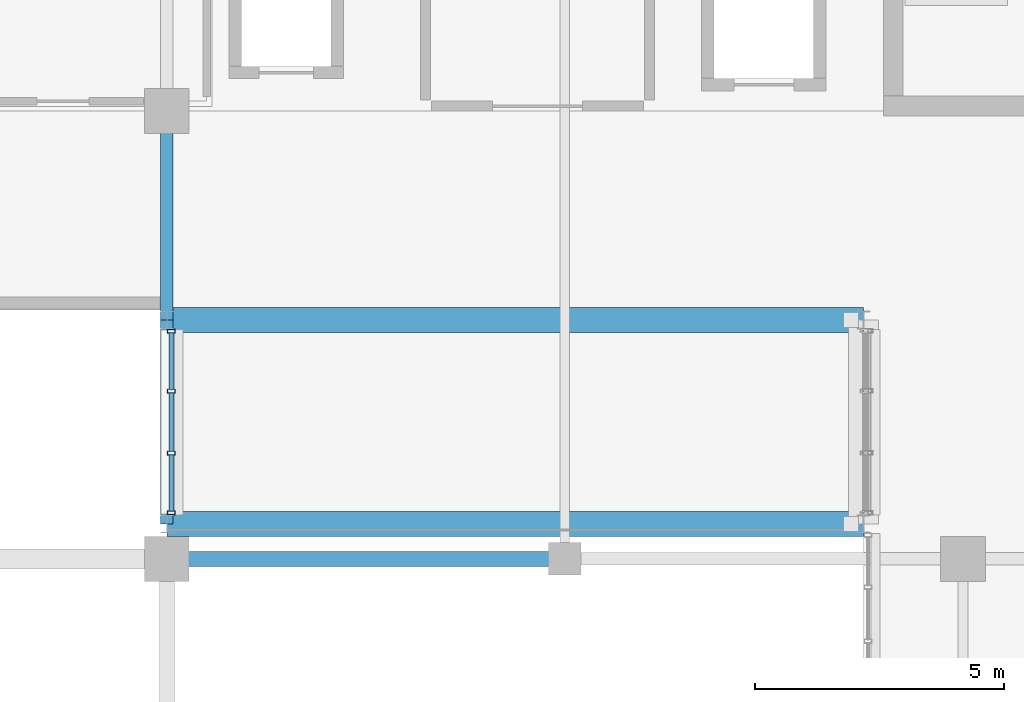
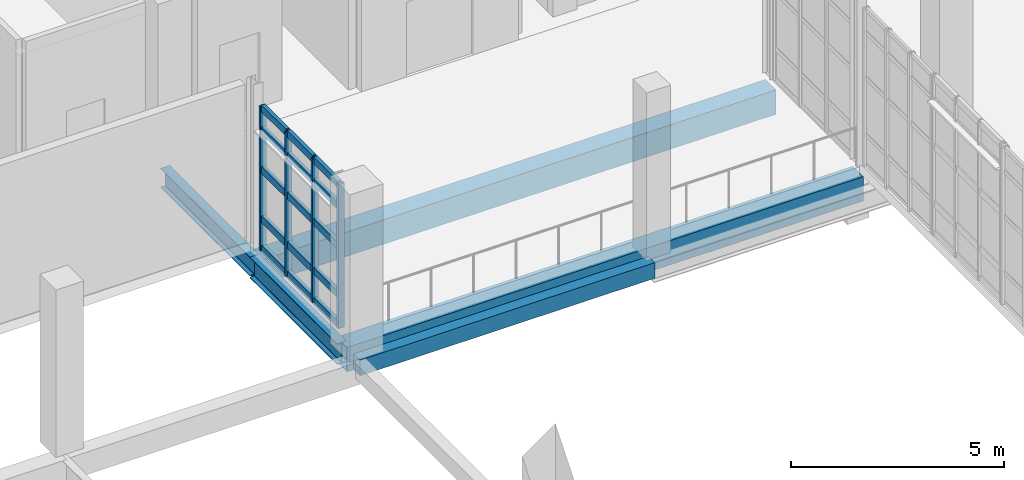
# One storey, part 37 of 127: 19 members, 5 beams, 1 element without a shape of its own.
"""IFC4 building model written with IfcOpenShell, lengths in metres."""

from ifc_helpers import new_model, si_unit, derived_unit, direction, frame, origin, origin_2d, place, context, subcontext, project, spatial, rectangle, hollow_rectangle, i_section, extrude, material, layer, layer_set, material_profile, profile_set, type_object, element, aggregate, save


model = new_model("IFC4")

# Units and contexts
model_context = context("Model", 3, precision=1e-05, world=origin(), true_north=direction((0.0, 1.0)))
body_context = subcontext(model_context, "Body", "Model", "MODEL_VIEW")
ifc_project = project(units=[si_unit("LENGTHUNIT", "METRE"), si_unit("AREAUNIT", "SQUARE_METRE"), si_unit("VOLUMEUNIT", "CUBIC_METRE"), si_unit("PLANEANGLEUNIT", "RADIAN"), si_unit("MASSUNIT", "GRAM", prefix="KILO"), derived_unit("THERMALTRANSMITTANCEUNIT", [(si_unit("POWERUNIT", "WATT"), 1), (si_unit("LENGTHUNIT", "METRE"), -2), (si_unit("THERMODYNAMICTEMPERATUREUNIT", "KELVIN"), -1)])], contexts=[model_context])

# Site, building, storey
site_placement = place(None, origin())
site = spatial("IfcSite", under=ifc_project, at=site_placement, CompositionType="ELEMENT")
building_placement = place(site_placement, origin())
building = spatial("IfcBuilding", under=site, at=building_placement, Name="Nallur Shell Playhouse", CompositionType="ELEMENT")
storey_placement = place(building_placement, frame((0.0, 0.0, 5.39990234375)))
storey = spatial("IfcBuildingStorey", under=building, at=storey_placement, Name="L02", CompositionType="ELEMENT", Elevation=5.39990234375)

# Beams
ifc_material_1 = material(Name="Steel E350", Category="steel")
ifc_material_profile_1 = material_profile(ifc_material_1, hollow_rectangle(XDim=0.5, YDim=0.699951171875, WallThickness=0.02197265625, at=origin_2d()), Name="BOX 500x700x22")
ifc_profile_set_1 = profile_set([ifc_material_profile_1], Name="Steel E350")
beam_type_1 = type_object("IfcBeamType", Name="BM-BRIDGE-BOX", PredefinedType="BEAM", material=ifc_profile_set_1)
for number, where, z_axis, x_axis, name in (
    (1, (40.0, 65.699951171875, -0.6298828125), (1.0, 0.0, 0.0), (0.0, 1.0, 0.0), "Courtyard bridge box girder 03"),
    (2, (40.0, 69.800048828125, -0.6298828125), (1.0, 0.0, 0.0), (0.0, 1.0, 0.0), "Courtyard bridge box girder 04"),
):
    element("IfcBeam", number, at=place(storey_placement, frame(where, z_axis=z_axis, x_axis=x_axis)), inside=storey, type_object=beam_type_1, Name=name, PredefinedType="BEAM", context=body_context, shape_type="SweptSolid", body=[
        extrude(hollow_rectangle(XDim=0.5, YDim=0.699951171875, WallThickness=0.02197265625, at=origin_2d()), origin(), (0.0, 0.0, 1.0), 14.0),
    ])
ifc_material_2 = material(Name="Concrete M35", Category="concrete")
ifc_material_profile_2 = material_profile(ifc_material_2, rectangle(XDim=0.300048828125, YDim=0.449951171875, at=origin_2d()), Name="RC 300x450")
ifc_profile_set_2 = profile_set([ifc_material_profile_2], Name="Concrete M35")
beam_type_2 = type_object("IfcBeamType", Name="BM-SPN-300x450", PredefinedType="SPANDREL", material=ifc_profile_set_2)
beam_1_placement = place(storey_placement, frame((40.0, 65.0, -0.5048828125), z_axis=(1.0, 0.0, 0.0), x_axis=(0.0, 1.0, 0.0)))
element("IfcBeam", 3, at=beam_1_placement, inside=storey, type_object=beam_type_2, Name="L02 girder X-H-368", PredefinedType="SPANDREL", context=body_context, shape_type="SweptSolid", body=[
    extrude(rectangle(XDim=0.300048828125, YDim=0.449951171875, at=origin_2d()), origin(), (0.0, 0.0, 1.0), 8.0),
])
ifc_material_profile_3 = material_profile(ifc_material_1, i_section(OverallWidth=0.25, OverallDepth=0.550048828125, WebThickness=0.010498046875, FlangeThickness=0.017578125, FilletRadius=0.01611328125, at=origin_2d()), Name="ISWB 550")
ifc_profile_set_3 = profile_set([ifc_material_profile_3], Name="Steel E350")
beam_type_3 = type_object("IfcBeamType", Name="BM-ST-ISWB550", PredefinedType="BEAM", material=ifc_profile_set_3)
beam_2_placement = place(storey_placement, frame((40.0, 69.800048828125, -0.554931640625), z_axis=(0.0, 1.0, 0.0), x_axis=(-1.0, 0.0, 0.0)))
element("IfcBeam", 4, at=beam_2_placement, inside=storey, type_object=beam_type_3, Name="L02 girder Y-5-418", PredefinedType="BEAM", context=body_context, shape_type="SweptSolid", body=[
    extrude(i_section(OverallWidth=0.25, OverallDepth=0.550048828125, WebThickness=0.010498046875, FlangeThickness=0.017578125, FilletRadius=0.01611328125, at=origin_2d()), origin(), (0.0, 0.0, 1.0), 4.199951171875),
])
ifc_material_profile_4 = material_profile(ifc_material_1, i_section(OverallWidth=0.25, OverallDepth=0.60009765625, WebThickness=0.01171875, FlangeThickness=0.023681640625, FilletRadius=0.01708984375, at=origin_2d()), Name="ISWB 600")
ifc_profile_set_4 = profile_set([ifc_material_profile_4], Name="Steel E350")
beam_type_4 = type_object("IfcBeamType", Name="BM-ST-ISWB600", PredefinedType="BEAM", material=ifc_profile_set_4)
beam_3_placement = place(storey_placement, frame((40.0, 65.699951171875, -0.579833984375), z_axis=(0.0, 1.0, 0.0), x_axis=(-1.0, 0.0, 0.0)))
element("IfcBeam", 5, at=beam_3_placement, inside=storey, type_object=beam_type_4, Name="L02 girder Y-5-417", PredefinedType="BEAM", context=body_context, shape_type="SweptSolid", body=[
    extrude(i_section(OverallWidth=0.25, OverallDepth=0.60009765625, WebThickness=0.01171875, FlangeThickness=0.023681640625, FilletRadius=0.01708984375, at=origin_2d()), origin(), (0.0, 0.0, 1.0), 4.10009765625),
])

# Curtain wall, members
ifc_material_3 = material(Name="Anodised Aluminium Double-Glazed Facade System", Category="aluminium")
ifc_layer = layer(ifc_material_3, 0.16796875)
ifc_layer_set = layer_set([ifc_layer], Name="Anodised Aluminium Double-Glazed Facade System")
curtain_wall_type = type_object("IfcCurtainWallType", Name="CW-UNIT-20", PredefinedType="NOTDEFINED", material=ifc_layer_set)
curtain_wall_placement = place(storey_placement, origin())
curtain_wall = element("IfcCurtainWall", 6, at=curtain_wall_placement, inside=storey, type_object=curtain_wall_type, Name="Unitised curtain wall CW-020 (L02)", PredefinedType="NOTDEFINED")
ifc_material_4 = material(Name="Aluminium Alloy 6063-T6 Mullion", Category="aluminium")
ifc_material_profile_5 = material_profile(ifc_material_4, hollow_rectangle(XDim=0.080078125, YDim=0.159912109375, WallThickness=0.006103515625, at=origin_2d()), Name="RHS 160x80x6")
ifc_profile_set_5 = profile_set([ifc_material_profile_5], Name="Aluminium Alloy 6063-T6 Mullion")
member_type_1 = type_object("IfcMemberType", Name="MB-CW-MUL150", PredefinedType="MULLION", material=ifc_profile_set_5)
member_1_placement = place(storey_placement, frame((40.090087890625, 65.923095703125, -0.014892578125), z_axis=(0.0, 0.0, 1.0), x_axis=(0.0, 1.0, 0.0)))
member_1 = element("IfcMember", 7, at=member_1_placement, type_object=member_type_1, Name="CW-20 mullion 1", PredefinedType="MULLION", context=body_context, shape_type="SweptSolid", body=[
    extrude(hollow_rectangle(XDim=0.080078125, YDim=0.159912109375, WallThickness=0.006103515625, at=origin_2d()), origin(), (0.0, 0.0, 1.0), 4.14404296875),
])
member_2_placement = place(storey_placement, frame((40.090087890625, 67.127685546875, -0.014892578125), z_axis=(0.0, 0.0, 1.0), x_axis=(0.0, 1.0, 0.0)))
member_2 = element("IfcMember", 8, at=member_2_placement, type_object=member_type_1, Name="CW-20 mullion 2", PredefinedType="MULLION", context=body_context, shape_type="SweptSolid", body=[
    extrude(hollow_rectangle(XDim=0.080078125, YDim=0.159912109375, WallThickness=0.006103515625, at=origin_2d()), origin(), (0.0, 0.0, 1.0), 4.14404296875),
])
member_3_placement = place(storey_placement, frame((40.090087890625, 68.372314453125, -0.014892578125), z_axis=(0.0, 0.0, 1.0), x_axis=(0.0, 1.0, 0.0)))
member_3 = element("IfcMember", 9, at=member_3_placement, type_object=member_type_1, Name="CW-20 mullion 3", PredefinedType="MULLION", context=body_context, shape_type="SweptSolid", body=[
    extrude(hollow_rectangle(XDim=0.080078125, YDim=0.159912109375, WallThickness=0.006103515625, at=origin_2d()), origin(), (0.0, 0.0, 1.0), 4.14404296875),
])
member_4_placement = place(storey_placement, frame((40.090087890625, 69.576904296875, -0.014892578125), z_axis=(0.0, 0.0, 1.0), x_axis=(0.0, 1.0, 0.0)))
member_4 = element("IfcMember", 10, at=member_4_placement, type_object=member_type_1, Name="CW-20 mullion 4", PredefinedType="MULLION", context=body_context, shape_type="SweptSolid", body=[
    extrude(hollow_rectangle(XDim=0.080078125, YDim=0.159912109375, WallThickness=0.006103515625, at=origin_2d()), origin(), (0.0, 0.0, 1.0), 4.14404296875),
])
ifc_material_5 = material(Name="Aluminium Alloy 6063-T6 Transom", Category="aluminium")
ifc_material_profile_6 = material_profile(ifc_material_5, hollow_rectangle(XDim=0.10009765625, YDim=0.199951171875, WallThickness=0.008056640625, at=origin_2d()), Name="RHS 200x100x8")
ifc_profile_set_6 = profile_set([ifc_material_profile_6], Name="Aluminium Alloy 6063-T6 Transom")
member_type_2 = type_object("IfcMemberType", Name="MB-CW-TRN140", PredefinedType="USERDEFINED", material=ifc_profile_set_6)
member_5_placement = place(storey_placement, frame((40.090087890625, 65.955078125, 0.050048828125), z_axis=(0.0, 1.0, 0.0), x_axis=(-1.0, 0.0, 0.0)))
member_5 = element("IfcMember", 11, at=member_5_placement, type_object=member_type_2, Name="CW-20 transom 1.1", ObjectType="TRANSOM", PredefinedType="USERDEFINED", context=body_context, shape_type="SweptSolid", body=[
    extrude(hollow_rectangle(XDim=0.10009765625, YDim=0.199951171875, WallThickness=0.008056640625, at=origin_2d()), origin(), (0.0, 0.0, 1.0), 1.140625),
])
member_6_placement = place(storey_placement, frame((40.090087890625, 65.955078125, 0.900146484375), z_axis=(0.0, 1.0, 0.0), x_axis=(-1.0, 0.0, 0.0)))
member_6 = element("IfcMember", 12, at=member_6_placement, type_object=member_type_2, Name="CW-20 transom 1.2", ObjectType="TRANSOM", PredefinedType="USERDEFINED", context=body_context, shape_type="SweptSolid", body=[
    extrude(hollow_rectangle(XDim=0.10009765625, YDim=0.199951171875, WallThickness=0.008056640625, at=origin_2d()), origin(), (0.0, 0.0, 1.0), 1.140625),
])
member_7_placement = place(storey_placement, frame((40.090087890625, 65.955078125, 2.31005859375), z_axis=(0.0, 1.0, 0.0), x_axis=(-1.0, 0.0, 0.0)))
member_7 = element("IfcMember", 13, at=member_7_placement, type_object=member_type_2, Name="CW-20 transom 1.3", ObjectType="TRANSOM", PredefinedType="USERDEFINED", context=body_context, shape_type="SweptSolid", body=[
    extrude(hollow_rectangle(XDim=0.10009765625, YDim=0.199951171875, WallThickness=0.008056640625, at=origin_2d()), origin(), (0.0, 0.0, 1.0), 1.140625),
])
member_8_placement = place(storey_placement, frame((40.090087890625, 65.955078125, 3.445068359375), z_axis=(0.0, 1.0, 0.0), x_axis=(-1.0, 0.0, 0.0)))
member_8 = element("IfcMember", 14, at=member_8_placement, type_object=member_type_2, Name="CW-20 transom 1.4", ObjectType="TRANSOM", PredefinedType="USERDEFINED", context=body_context, shape_type="SweptSolid", body=[
    extrude(hollow_rectangle(XDim=0.10009765625, YDim=0.199951171875, WallThickness=0.008056640625, at=origin_2d()), origin(), (0.0, 0.0, 1.0), 1.140625),
])
member_9_placement = place(storey_placement, frame((40.090087890625, 65.955078125, 4.0751953125), z_axis=(0.0, 1.0, 0.0), x_axis=(-1.0, 0.0, 0.0)))
member_9 = element("IfcMember", 15, at=member_9_placement, type_object=member_type_2, Name="CW-20 transom 1.5", ObjectType="TRANSOM", PredefinedType="USERDEFINED", context=body_context, shape_type="SweptSolid", body=[
    extrude(hollow_rectangle(XDim=0.10009765625, YDim=0.199951171875, WallThickness=0.008056640625, at=origin_2d()), origin(), (0.0, 0.0, 1.0), 1.140625),
])
member_10_placement = place(storey_placement, frame((40.090087890625, 67.15966796875, 0.050048828125), z_axis=(0.0, 1.0, 0.0), x_axis=(-1.0, 0.0, 0.0)))
member_10 = element("IfcMember", 16, at=member_10_placement, type_object=member_type_2, Name="CW-20 transom 2.1", ObjectType="TRANSOM", PredefinedType="USERDEFINED", context=body_context, shape_type="SweptSolid", body=[
    extrude(hollow_rectangle(XDim=0.10009765625, YDim=0.199951171875, WallThickness=0.008056640625, at=origin_2d()), origin(), (0.0, 0.0, 1.0), 1.1806640625),
])
member_11_placement = place(storey_placement, frame((40.090087890625, 67.15966796875, 0.900146484375), z_axis=(0.0, 1.0, 0.0), x_axis=(-1.0, 0.0, 0.0)))
member_11 = element("IfcMember", 17, at=member_11_placement, type_object=member_type_2, Name="CW-20 transom 2.2", ObjectType="TRANSOM", PredefinedType="USERDEFINED", context=body_context, shape_type="SweptSolid", body=[
    extrude(hollow_rectangle(XDim=0.10009765625, YDim=0.199951171875, WallThickness=0.008056640625, at=origin_2d()), origin(), (0.0, 0.0, 1.0), 1.1806640625),
])
member_12_placement = place(storey_placement, frame((40.090087890625, 67.15966796875, 2.31005859375), z_axis=(0.0, 1.0, 0.0), x_axis=(-1.0, 0.0, 0.0)))
member_12 = element("IfcMember", 18, at=member_12_placement, type_object=member_type_2, Name="CW-20 transom 2.3", ObjectType="TRANSOM", PredefinedType="USERDEFINED", context=body_context, shape_type="SweptSolid", body=[
    extrude(hollow_rectangle(XDim=0.10009765625, YDim=0.199951171875, WallThickness=0.008056640625, at=origin_2d()), origin(), (0.0, 0.0, 1.0), 1.1806640625),
])
member_13_placement = place(storey_placement, frame((40.090087890625, 67.15966796875, 3.445068359375), z_axis=(0.0, 1.0, 0.0), x_axis=(-1.0, 0.0, 0.0)))
member_13 = element("IfcMember", 19, at=member_13_placement, type_object=member_type_2, Name="CW-20 transom 2.4", ObjectType="TRANSOM", PredefinedType="USERDEFINED", context=body_context, shape_type="SweptSolid", body=[
    extrude(hollow_rectangle(XDim=0.10009765625, YDim=0.199951171875, WallThickness=0.008056640625, at=origin_2d()), origin(), (0.0, 0.0, 1.0), 1.1806640625),
])
member_14_placement = place(storey_placement, frame((40.090087890625, 67.15966796875, 4.0751953125), z_axis=(0.0, 1.0, 0.0), x_axis=(-1.0, 0.0, 0.0)))
member_14 = element("IfcMember", 20, at=member_14_placement, type_object=member_type_2, Name="CW-20 transom 2.5", ObjectType="TRANSOM", PredefinedType="USERDEFINED", context=body_context, shape_type="SweptSolid", body=[
    extrude(hollow_rectangle(XDim=0.10009765625, YDim=0.199951171875, WallThickness=0.008056640625, at=origin_2d()), origin(), (0.0, 0.0, 1.0), 1.1806640625),
])
member_15_placement = place(storey_placement, frame((40.090087890625, 68.404296875, 0.050048828125), z_axis=(0.0, 1.0, 0.0), x_axis=(-1.0, 0.0, 0.0)))
member_15 = element("IfcMember", 21, at=member_15_placement, type_object=member_type_2, Name="CW-20 transom 3.1", ObjectType="TRANSOM", PredefinedType="USERDEFINED", context=body_context, shape_type="SweptSolid", body=[
    extrude(hollow_rectangle(XDim=0.10009765625, YDim=0.199951171875, WallThickness=0.008056640625, at=origin_2d()), origin(), (0.0, 0.0, 1.0), 1.140625),
])
member_16_placement = place(storey_placement, frame((40.090087890625, 68.404296875, 0.900146484375), z_axis=(0.0, 1.0, 0.0), x_axis=(-1.0, 0.0, 0.0)))
member_16 = element("IfcMember", 22, at=member_16_placement, type_object=member_type_2, Name="CW-20 transom 3.2", ObjectType="TRANSOM", PredefinedType="USERDEFINED", context=body_context, shape_type="SweptSolid", body=[
    extrude(hollow_rectangle(XDim=0.10009765625, YDim=0.199951171875, WallThickness=0.008056640625, at=origin_2d()), origin(), (0.0, 0.0, 1.0), 1.140625),
])
member_17_placement = place(storey_placement, frame((40.090087890625, 68.404296875, 2.31005859375), z_axis=(0.0, 1.0, 0.0), x_axis=(-1.0, 0.0, 0.0)))
member_17 = element("IfcMember", 23, at=member_17_placement, type_object=member_type_2, Name="CW-20 transom 3.3", ObjectType="TRANSOM", PredefinedType="USERDEFINED", context=body_context, shape_type="SweptSolid", body=[
    extrude(hollow_rectangle(XDim=0.10009765625, YDim=0.199951171875, WallThickness=0.008056640625, at=origin_2d()), origin(), (0.0, 0.0, 1.0), 1.140625),
])
member_18_placement = place(storey_placement, frame((40.090087890625, 68.404296875, 3.445068359375), z_axis=(0.0, 1.0, 0.0), x_axis=(-1.0, 0.0, 0.0)))
member_18 = element("IfcMember", 24, at=member_18_placement, type_object=member_type_2, Name="CW-20 transom 3.4", ObjectType="TRANSOM", PredefinedType="USERDEFINED", context=body_context, shape_type="SweptSolid", body=[
    extrude(hollow_rectangle(XDim=0.10009765625, YDim=0.199951171875, WallThickness=0.008056640625, at=origin_2d()), origin(), (0.0, 0.0, 1.0), 1.140625),
])
member_19_placement = place(storey_placement, frame((40.090087890625, 68.404296875, 4.0751953125), z_axis=(0.0, 1.0, 0.0), x_axis=(-1.0, 0.0, 0.0)))
member_19 = element("IfcMember", 25, at=member_19_placement, type_object=member_type_2, Name="CW-20 transom 3.5", ObjectType="TRANSOM", PredefinedType="USERDEFINED", context=body_context, shape_type="SweptSolid", body=[
    extrude(hollow_rectangle(XDim=0.10009765625, YDim=0.199951171875, WallThickness=0.008056640625, at=origin_2d()), origin(), (0.0, 0.0, 1.0), 1.140625),
])
aggregate(curtain_wall, [member_1, member_2, member_3, member_4, member_5, member_6, member_7, member_8, member_9, member_10, member_11, member_12, member_13, member_14, member_15, member_16, member_17, member_18, member_19])

save(model, "model.ifc")
